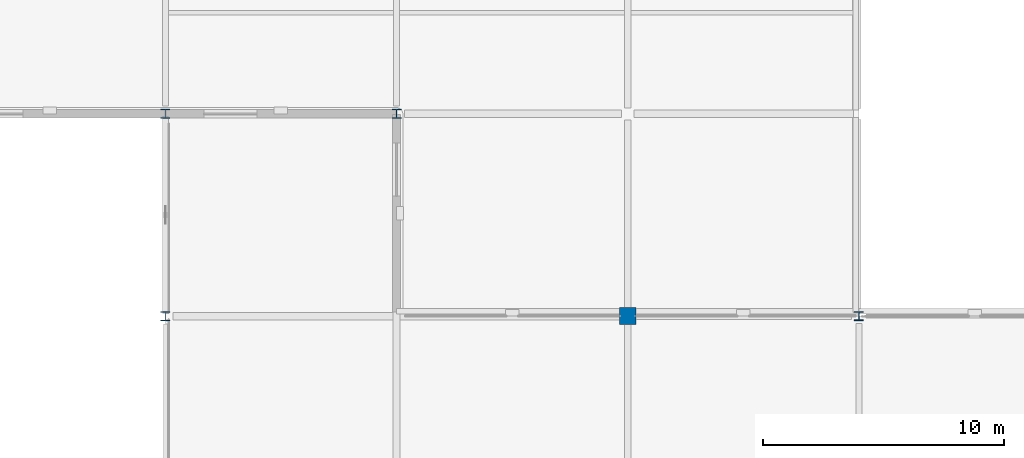
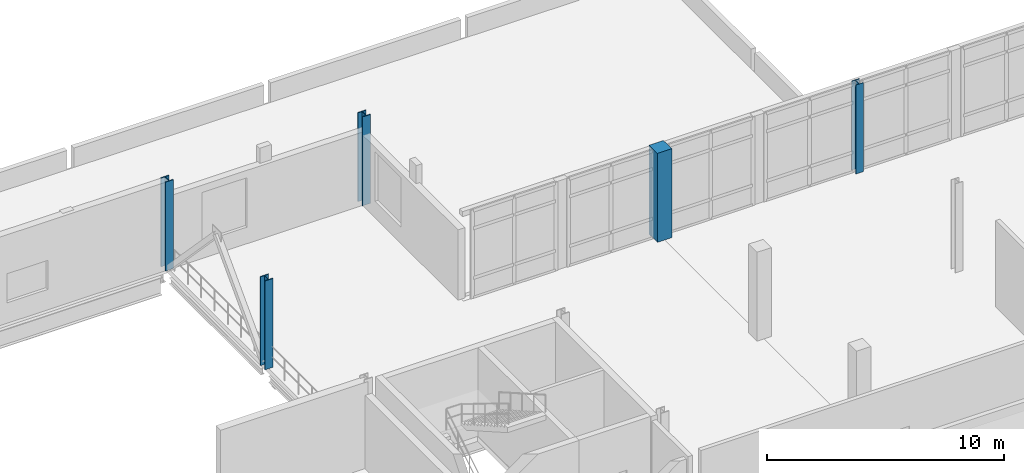
# One storey, part 8 of 52: 5 columns.
"""IFC4 building model written with IfcOpenShell, lengths in metres."""

import ifcopenshell
import ifcopenshell.guid

model = None  # the IFC model being written
_history = None  # IfcOwnerHistory: only IFC2X3 demands one
_inside = {}  # id of a spatial element -> (the spatial element, [elements in it])
_under = {}  # id of a project, library or spatial element -> (it, [spatial elements below it])
_declared = {}  # id of a project -> (the project, [libraries it declares])
_typed = {}  # id of a type object -> (the type object, [elements of that type])
_made_of = {}  # id of a material, layer set ... -> (it, [elements and type objects made of it])


def new_model(schema):
    """Start an empty IFC model of exactly this schema.

    Asked for "IFC4X3", IfcOpenShell would pick the latest addendum, in which some entities
    have other attributes; the version numbers below select the first issue.
    IFC2X3 requires an IfcOwnerHistory on every rooted entity: one is made here for all.
    """
    global model, _history
    if schema == "IFC4X3":
        model = ifcopenshell.file(schema_version=(4, 3, 0, 0))
    else:
        model = ifcopenshell.file(schema=schema)
    _inside.clear()
    _under.clear()
    _declared.clear()
    _typed.clear()
    _made_of.clear()
    _history = None
    if model.schema == "IFC2X3":
        org = make("IfcOrganization", Name="unknown")
        user = make(
            "IfcPersonAndOrganization",
            ThePerson=make("IfcPerson", FamilyName="unknown"),
            TheOrganization=org,
        )
        app = make(
            "IfcApplication",
            ApplicationDeveloper=org,
            Version="unknown",
            ApplicationFullName="unknown",
            ApplicationIdentifier="unknown",
        )
        _history = make(
            "IfcOwnerHistory",
            OwningUser=user,
            OwningApplication=app,
            ChangeAction="ADDED",
            CreationDate=0,
        )
    return model


def make(cls, **values):
    """One entity of the class cls with the attributes given. An attribute that is None is left unset."""
    return model.create_entity(
        cls, **{name: value for name, value in values.items() if value is not None}
    )


def rooted(cls, **values):
    """An entity with a GlobalId (a new one), such as an element, a storey or a relation."""
    return make(cls, GlobalId=ifcopenshell.guid.new(), OwnerHistory=_history, **values)


def si_unit(unit_type, name, prefix=None):
    """IfcSIUnit, for example si_unit("LENGTHUNIT", "METRE", prefix="MILLI")."""
    return make("IfcSIUnit", UnitType=unit_type, Prefix=prefix, Name=name)


def assignment(units):
    """IfcUnitAssignment: the units of a project."""
    return None if units is None else make("IfcUnitAssignment", Units=units)


def point(xyz):
    """IfcCartesianPoint."""
    return None if xyz is None else make("IfcCartesianPoint", Coordinates=xyz)


def direction(xyz):
    """IfcDirection."""
    return None if xyz is None else make("IfcDirection", DirectionRatios=xyz)


def frame(location, z_axis=None, x_axis=None):
    """IfcAxis2Placement3D, a coordinate frame: its origin and axes. An axis left out is left unset."""
    return make(
        "IfcAxis2Placement3D",
        Location=point(location),
        Axis=direction(z_axis),
        RefDirection=direction(x_axis),
    )


def frame_2d(location, x_axis=None):
    """IfcAxis2Placement2D, a coordinate frame in the plane: its origin and x axis."""
    return make(
        "IfcAxis2Placement2D", Location=point(location), RefDirection=direction(x_axis)
    )


def origin():
    """The frame at (0, 0, 0) with its axes left unset."""
    return frame((0.0, 0.0, 0.0))


def origin_2d():
    """The frame at (0, 0) in the plane with its x axis left unset."""
    return frame_2d((0.0, 0.0))


def place(relative_to, where):
    """IfcLocalPlacement: puts the frame where relative to a parent placement (None: the world)."""
    return make(
        "IfcLocalPlacement", PlacementRelTo=relative_to, RelativePlacement=where
    )


def context(
    kind, dimensions, precision=None, world=None, true_north=None, identifier=None
):
    """IfcGeometricRepresentationContext, for example the 3D "Model" context."""
    return make(
        "IfcGeometricRepresentationContext",
        ContextIdentifier=identifier,
        ContextType=kind,
        CoordinateSpaceDimension=dimensions,
        Precision=precision,
        WorldCoordinateSystem=world,
        TrueNorth=true_north,
    )


def subcontext(parent, identifier, kind, view, scale=None):
    """IfcGeometricRepresentationSubContext, for example "Body" below "Model"."""
    return make(
        "IfcGeometricRepresentationSubContext",
        ContextIdentifier=identifier,
        ContextType=kind,
        ParentContext=parent,
        TargetScale=scale,
        TargetView=view,
    )


def project(units=None, contexts=None):
    """IfcProject with its units and contexts."""
    return rooted(
        "IfcProject",
        Name="project",
        RepresentationContexts=contexts,
        UnitsInContext=assignment(units),
    )


def spatial(cls, under=None, at=None, **own):
    """A site, building, storey or space (cls), placed at a placement, below another one or the project."""
    s = rooted(cls, ObjectPlacement=at, **own)
    if under is not None:
        _under.setdefault(under.id(), (under, []))[1].append(s)
    return s


def profile(cls, at=None, kind="AREA", **sizes):
    """A parametric profile (cls). Its sizes go by their IFC names, for example OverallWidth=200.0."""
    return make(cls, ProfileType=kind, Position=at, **sizes)


def rectangle(**sizes):
    """IfcRectangleProfileDef."""
    return profile("IfcRectangleProfileDef", **sizes)


def i_section(**sizes):
    """IfcIShapeProfileDef."""
    return profile("IfcIShapeProfileDef", **sizes)


def extrude(swept, where, along, depth):
    """IfcExtrudedAreaSolid: the profile swept, set in the frame where, extruded along a direction by depth."""
    return make(
        "IfcExtrudedAreaSolid",
        SweptArea=swept,
        Position=where,
        ExtrudedDirection=direction(along),
        Depth=depth,
    )


def shape(context_of_items, identifier, shape_type, items):
    """IfcShapeRepresentation: the items that make up one representation, for example the "Body"."""
    return make(
        "IfcShapeRepresentation",
        ContextOfItems=context_of_items,
        RepresentationIdentifier=identifier,
        RepresentationType=shape_type,
        Items=items,
    )


def material(Name=None, Category=None):
    """IfcMaterial."""
    return make("IfcMaterial", Name=Name, Category=Category)


def material_profile(
    of_material, cross_section, Name=None, Category=None, Priority=None
):
    """IfcMaterialProfile: a cross section and its material."""
    return make(
        "IfcMaterialProfile",
        Name=Name,
        Material=of_material,
        Profile=cross_section,
        Priority=Priority,
        Category=Category,
    )


def profile_set(profiles, Name=None, composite=None):
    """IfcMaterialProfileSet."""
    return make(
        "IfcMaterialProfileSet",
        Name=Name,
        MaterialProfiles=profiles,
        CompositeProfile=composite,
    )


def made_of(thing, what):
    """Note that an element or type object is made of a material, layer set ...; save() writes the relation."""
    if what is not None:
        _made_of.setdefault(what.id(), (what, []))[1].append(thing)
    return thing


def type_object(cls, material=None, **own):
    """A type object (cls), such as IfcWallType, which elements share."""
    return made_of(rooted(cls, **own), material)


def element(
    cls,
    number,
    at=None,
    inside=None,
    cuts=None,
    type_object=None,
    material=None,
    context=None,
    identifier="Body",
    shape_type=None,
    held_by="IfcProductDefinitionShape",
    body=None,
    shapes=None,
    **own,
):
    """One element of the class cls, such as IfcWall. Its Tag is "e" and its number.

    at: its placement. inside: the storey or other place that contains it. cuts: it is an
    opening in that element (IfcRelVoidsElement). A single representation is given by context,
    identifier, shape_type and body (its items); several are given by shapes. held_by: the class
    of the entity that holds the representations. save() writes the other relations.
    """
    e = rooted(cls, Tag="e%d" % number, ObjectPlacement=at, **own)
    if body is not None:
        shapes = [shape(context, identifier, shape_type, body)]
    if shapes is not None:
        e.Representation = make(held_by, Representations=shapes)
    if inside is not None:
        _inside.setdefault(inside.id(), (inside, []))[1].append(e)
    if cuts is not None:
        rooted(
            "IfcRelVoidsElement", RelatingBuildingElement=cuts, RelatedOpeningElement=e
        )
    if type_object is not None:
        _typed.setdefault(type_object.id(), (type_object, []))[1].append(e)
    return made_of(e, material)


def aggregate(whole, parts):
    """IfcRelAggregates: a whole, such as a stair, and the parts it consists of."""
    return rooted("IfcRelAggregates", RelatingObject=whole, RelatedObjects=parts)


def save(model, path):
    """Write the relations noted so far, then the file.

    IfcRelAggregates (storeys below a building ...), IfcRelContainedInSpatialStructure (elements
    in a storey), IfcRelDefinesByType, IfcRelAssociatesMaterial and IfcRelDeclares: one each for
    every whole, place, type object, material and project.
    """
    for whole, parts in _under.values():
        aggregate(whole, parts)
    for where, things in _inside.values():
        rooted(
            "IfcRelContainedInSpatialStructure",
            RelatedElements=things,
            RelatingStructure=where,
        )
    for kind, things in _typed.values():
        rooted("IfcRelDefinesByType", RelatedObjects=things, RelatingType=kind)
    for what, things in _made_of.values():
        rooted("IfcRelAssociatesMaterial", RelatedObjects=things, RelatingMaterial=what)
    for by, libraries in _declared.values():
        rooted("IfcRelDeclares", RelatingContext=by, RelatedDefinitions=libraries)
    model.write(path)


model = new_model("IFC4")

# Units and contexts
model_context = context("Model", 3, precision=1e-05, world=origin(), true_north=direction((0.0, 1.0)))
body_context = subcontext(model_context, "Body", "Model", "MODEL_VIEW")
ifc_project = project(units=[si_unit("LENGTHUNIT", "METRE"), si_unit("AREAUNIT", "SQUARE_METRE"), si_unit("VOLUMEUNIT", "CUBIC_METRE"), si_unit("PLANEANGLEUNIT", "RADIAN"), si_unit("MASSUNIT", "GRAM", prefix="KILO")], contexts=[model_context])

# Site, building, storey
site_placement = place(None, origin())
site = spatial("IfcSite", under=ifc_project, at=site_placement, CompositionType="ELEMENT")
building_placement = place(site_placement, origin())
building = spatial("IfcBuilding", under=site, at=building_placement, Name="Lornevale Opera House", CompositionType="ELEMENT")
storey_placement = place(building_placement, frame((0.0, 0.0, 15.0)))
storey = spatial("IfcBuildingStorey", under=building, at=storey_placement, Name="L04", CompositionType="ELEMENT", Elevation=15.0)

# Columns
ifc_material_1 = material(Name="Concrete 40 MPa (CSA A23.1 C-1)", Category="concrete")
ifc_material_profile_1 = material_profile(ifc_material_1, rectangle(XDim=0.699951171875, YDim=0.699951171875, at=origin_2d()), Name="RC700x700")
ifc_profile_set_1 = profile_set([ifc_material_profile_1], Name="Concrete 40 MPa (CSA A23.1 C-1)")
column_type_1 = type_object("IfcColumnType", Name="Concrete Column 700x700", PredefinedType="COLUMN", material=ifc_profile_set_1)
column_1_placement = place(storey_placement, frame((115.199951171875, 75.60009765625, 0.0), z_axis=(0.0, 0.0, 1.0), x_axis=(1.0, 0.0, 0.0)))
element("IfcColumn", 1, at=column_1_placement, inside=storey, type_object=column_type_1, Name="Concrete Column 700x700 0810", PredefinedType="COLUMN", context=body_context, shape_type="SweptSolid", body=[
    extrude(rectangle(XDim=0.699951171875, YDim=0.699951171875, at=origin_2d()), origin(), (0.0, 0.0, 1.0), 4.580078125),
])
ifc_material_2 = material(Name="Structural Steel CSA G40.21 Grade 350W (350 MPa)", Category="steel")
ifc_material_profile_2 = material_profile(ifc_material_2, i_section(OverallWidth=0.373046875, OverallDepth=0.367919921875, WebThickness=0.017578125, FlangeThickness=0.028076171875, at=origin_2d()), Name="W360x179")
ifc_profile_set_2 = profile_set([ifc_material_profile_2], Name="Structural Steel CSA G40.21 Grade 350W (350 MPa)")
column_type_2 = type_object("IfcColumnType", Name="Steel Gallery Column W360x179", PredefinedType="COLUMN", material=ifc_profile_set_2)
column_2_placement = place(storey_placement, frame((124.800048828125, 75.60009765625, 0.0), z_axis=(0.0, 0.0, 1.0), x_axis=(1.0, 0.0, 0.0)))
element("IfcColumn", 2, at=column_2_placement, inside=storey, type_object=column_type_2, Name="Steel Gallery Column W360x179 0890", PredefinedType="COLUMN", context=body_context, shape_type="SweptSolid", body=[
    extrude(i_section(OverallWidth=0.373046875, OverallDepth=0.367919921875, WebThickness=0.017578125, FlangeThickness=0.028076171875, at=origin_2d()), origin(), (0.0, 0.0, 1.0), 4.580078125),
])
ifc_material_profile_3 = material_profile(ifc_material_2, i_section(OverallWidth=0.39892578125, OverallDepth=0.39892578125, WebThickness=0.02978515625, FlangeThickness=0.0390625, at=origin_2d()), Name="W360x314")
ifc_profile_set_3 = profile_set([ifc_material_profile_3], Name="Structural Steel CSA G40.21 Grade 350W (350 MPa)")
column_type_3 = type_object("IfcColumnType", Name="Steel Stagehouse Column W360x314", PredefinedType="COLUMN", material=ifc_profile_set_3)
for number, where, z_axis, x_axis, name in (
    (3, (96.0, 75.60009765625, 0.0), (0.0, 0.0, 1.0), (1.0, 0.0, 0.0), "Steel Stagehouse Column W360x314 0654"),
    (4, (96.0, 84.0, 0.0), (0.0, 0.0, 1.0), (1.0, 0.0, 0.0), "Steel Stagehouse Column W360x314 0662"),
    (5, (105.60009765625, 84.0, 0.0), (0.0, 0.0, 1.0), (1.0, 0.0, 0.0), "Steel Stagehouse Column W360x314 0737"),
):
    element("IfcColumn", number, at=place(storey_placement, frame(where, z_axis=z_axis, x_axis=x_axis)), inside=storey, type_object=column_type_3, Name=name, PredefinedType="COLUMN", context=body_context, shape_type="SweptSolid", body=[
        extrude(i_section(OverallWidth=0.39892578125, OverallDepth=0.39892578125, WebThickness=0.02978515625, FlangeThickness=0.0390625, at=origin_2d()), origin(), (0.0, 0.0, 1.0), 4.580078125),
    ])

save(model, "model.ifc")
